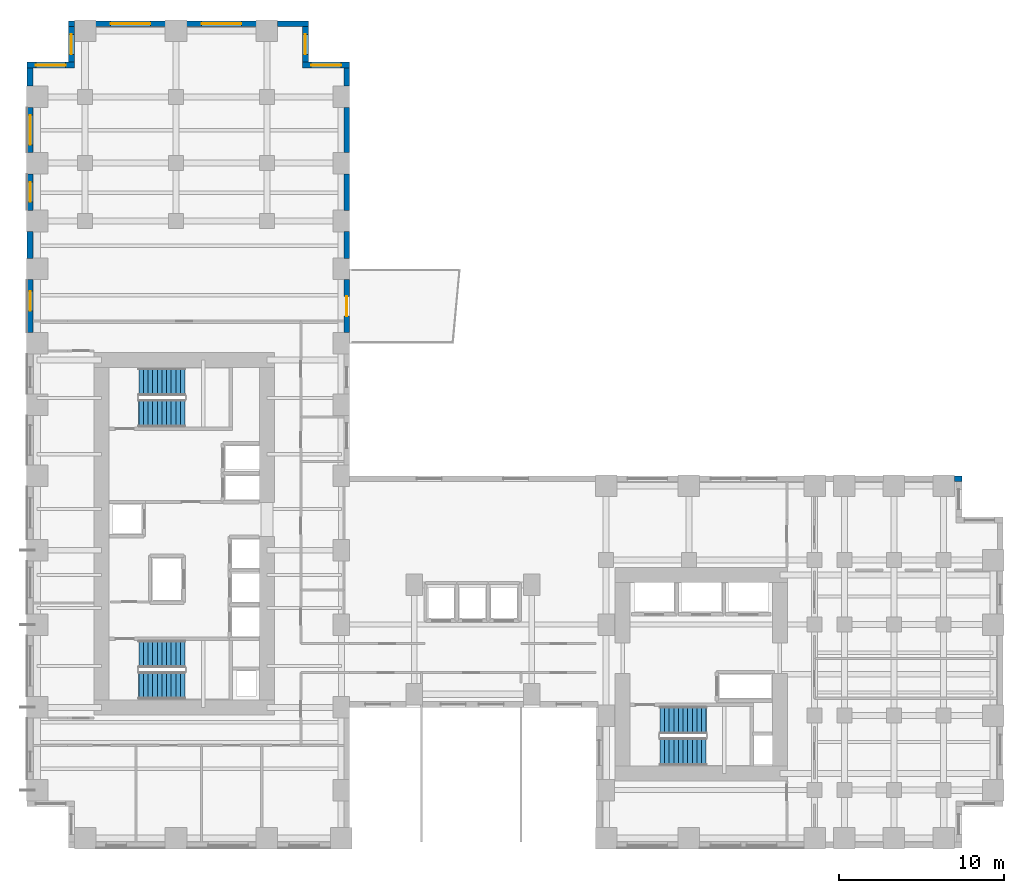
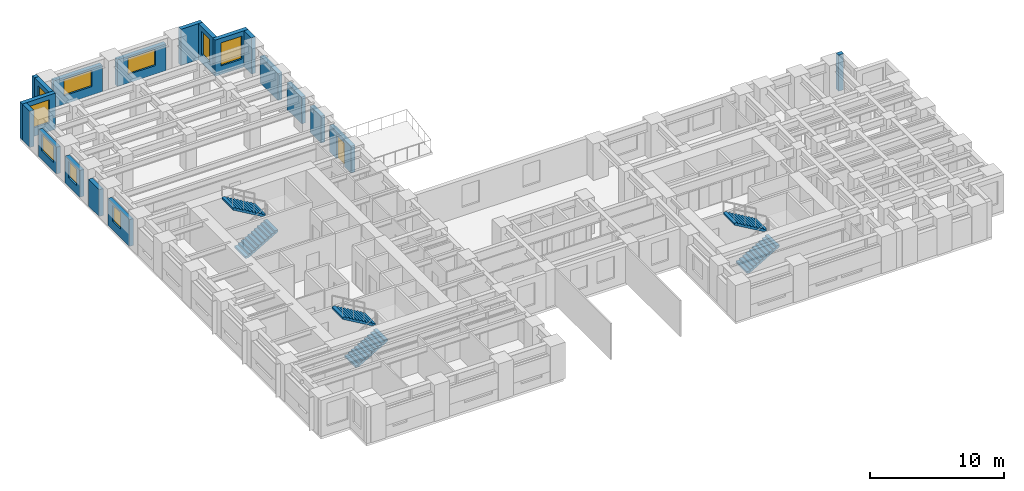
# One storey, part 9 of 11: 19 walls, 9 windows, 6 stair flights, 1 door, 10 openings, 3 elements without a shape of their own.
"""IFC4 building model written with IfcOpenShell, lengths in metres."""

from ifc_helpers import new_model, si_unit, direction, frame, frame_2d, origin, place, context, subcontext, project, spatial, polyline, rectangle, outline, extrude, source, transform, mapped, material, layer, layer_set, type_object, element, fill, aggregate, save


model = new_model("IFC4")

# Units and contexts
model_context = context("Model", 3, precision=1e-05, world=origin(), true_north=direction((0.0, 1.0)))
body_context = subcontext(model_context, "Body", "Model", "MODEL_VIEW")
ifc_project = project(units=[si_unit("LENGTHUNIT", "METRE"), si_unit("AREAUNIT", "SQUARE_METRE"), si_unit("VOLUMEUNIT", "CUBIC_METRE"), si_unit("PLANEANGLEUNIT", "RADIAN"), si_unit("MASSUNIT", "GRAM", prefix="KILO")], contexts=[model_context])

# Site, building, storey
site_placement = place(None, origin())
site = spatial("IfcSite", under=ifc_project, at=site_placement, CompositionType="ELEMENT")
building_placement = place(site_placement, origin())
building = spatial("IfcBuilding", under=site, at=building_placement, Name="Kharzan Plaza Tower", CompositionType="ELEMENT")
storey_placement = place(building_placement, frame((0.0, 0.0, 69.300048828125)))
storey = spatial("IfcBuildingStorey", under=building, at=storey_placement, Name="L18", CompositionType="ELEMENT", Elevation=69.300048828125)

# Wall, opening, window
ifc_material_1 = material(Name="Concrete C40/50", Category="concrete")
ifc_layer = layer(ifc_material_1, 0.35009765625)
ifc_layer_set = layer_set([ifc_layer], Name="Concrete C40/50")
wall_type = type_object("IfcWallType", Name="WL-EXT-MAS-Z1", PredefinedType="SOLIDWALL", material=ifc_layer_set)
wall_1_placement = place(storey_placement, frame((19.5, 47.324951171875, 0.0), z_axis=(0.0, 0.0, 1.0), x_axis=(-1.0, 0.0, 0.0)))
wall_1 = element("IfcWall", 1, at=wall_1_placement, inside=storey, type_object=wall_type, Name="L18 Masonry-Frame Exterior Wall 01", PredefinedType="SOLIDWALL", context=body_context, shape_type="SweptSolid", body=[
    extrude(rectangle(XDim=2.85009765625, YDim=0.35009765625, at=frame_2d((1.425048828125, 0.0))), origin(), (0.0, 0.0, 1.0), 3.304931640625),
])
opening_1_placement = place(wall_1_placement, frame((0.52490234375, 0.0, 0.780029296875)))
opening_1 = element("IfcOpeningElement", 2, at=opening_1_placement, cuts=wall_1, Name="Opening W1", PredefinedType="OPENING", context=body_context, shape_type="SweptSolid", body=[
    extrude(rectangle(XDim=1.800048828125, YDim=2.10009765625, at=frame_2d((0.89990234375, 1.050048828125))), frame((0.0, 0.18505859375, 0.0), z_axis=(0.0, -1.0, 0.0), x_axis=(1.0, 0.0, 0.0)), (0.0, 0.0, 1.0), 0.3701171875),
])
ifc_material_2 = material(Name="Low-E Double Glazing", Category="glass")
window_type_1 = type_object("IfcWindowType", Name="WN-REC-1800x2100", PartitioningType="SINGLE_PANEL", PredefinedType="WINDOW", material=ifc_material_2)
shared_shape_1 = source(origin(), body_context, "Body", "SweptSolid", [
    extrude(rectangle(XDim=1.800048828125, YDim=2.10009765625, at=frame_2d((0.89990234375, 1.050048828125))), frame((0.0, 0.030029296875, 0.0), z_axis=(0.0, -1.0, 0.0), x_axis=(1.0, 0.0, 0.0)), (0.0, 0.0, 1.0), 0.06005859375),
])
window_1_placement = place(opening_1_placement, origin())
window_1 = element("IfcWindow", 3, at=window_1_placement, inside=storey, type_object=window_type_1, Name="L18 Recessed Solar-Control Window 01-1", OverallHeight=2.10009765625, OverallWidth=1.800048828125, PartitioningType="SINGLE_PANEL", PredefinedType="WINDOW", context=body_context, shape_type="MappedRepresentation", body=[
    mapped(shared_shape_1, transform((0.0, 0.0, 0.0), x_axis=(1.0, 0.0, 0.0), y_axis=(0.0, 1.0, 0.0), z_axis=(0.0, 0.0, 1.0))),
])
fill(opening_1, window_1)

wall_2_placement = place(storey_placement, frame((16.824951171875, 47.498046875, 0.0), z_axis=(0.0, 0.0, 1.0), x_axis=(0.0, 1.0, 0.0)))
wall_2 = element("IfcWall", 4, at=wall_2_placement, inside=storey, type_object=wall_type, Name="L18 Masonry-Frame Exterior Wall 02", PredefinedType="SOLIDWALL", context=body_context, shape_type="SweptSolid", body=[
    extrude(rectangle(XDim=2.154052734375, YDim=0.35009765625, at=frame_2d((1.0771484375, 0.0))), origin(), (0.0, 0.0, 1.0), 3.304931640625),
])
opening_2_placement = place(wall_2_placement, frame((0.47705078125, 0.0, 0.780029296875)))
opening_2 = element("IfcOpeningElement", 5, at=opening_2_placement, cuts=wall_2, Name="Opening W3", PredefinedType="OPENING", context=body_context, shape_type="SweptSolid", body=[
    extrude(rectangle(XDim=1.199951171875, YDim=2.10009765625, at=frame_2d((0.60009765625, 1.050048828125))), frame((0.0, 0.18505859375, 0.0), z_axis=(0.0, -1.0, 0.0), x_axis=(1.0, 0.0, 0.0)), (0.0, 0.0, 1.0), 0.3701171875),
])
window_type_2 = type_object("IfcWindowType", Name="WN-REC-1200x2100", PartitioningType="SINGLE_PANEL", PredefinedType="WINDOW", material=ifc_material_2)
shared_shape_2 = source(origin(), body_context, "Body", "SweptSolid", [
    extrude(rectangle(XDim=1.199951171875, YDim=2.10009765625, at=frame_2d((0.60009765625, 1.050048828125))), frame((0.0, 0.030029296875, 0.0), z_axis=(0.0, -1.0, 0.0), x_axis=(1.0, 0.0, 0.0)), (0.0, 0.0, 1.0), 0.06005859375),
])
window_2_placement = place(opening_2_placement, origin())
window_2 = element("IfcWindow", 6, at=window_2_placement, inside=storey, type_object=window_type_2, Name="L18 Recessed Solar-Control Window 02-1", OverallHeight=2.10009765625, OverallWidth=1.199951171875, PartitioningType="SINGLE_PANEL", PredefinedType="WINDOW", context=body_context, shape_type="MappedRepresentation", body=[
    mapped(shared_shape_2, transform((0.0, 0.0, 0.0), x_axis=(1.0, 0.0, 0.0), y_axis=(0.0, 1.0, 0.0), z_axis=(0.0, 0.0, 1.0))),
])
fill(opening_2, window_2)

wall_3_placement = place(storey_placement, frame((13.85205078125, 49.824951171875, 0.0), z_axis=(0.0, 0.0, 1.0), x_axis=(-1.0, 0.0, 0.0)))
wall_3 = element("IfcWall", 7, at=wall_3_placement, inside=storey, type_object=wall_type, Name="L18 Masonry-Frame Exterior Wall 04", PredefinedType="SOLIDWALL", context=body_context, shape_type="SweptSolid", body=[
    extrude(rectangle(XDim=4.2041015625, YDim=0.35009765625, at=frame_2d((2.10205078125, 0.0))), origin(), (0.0, 0.0, 1.0), 2.449951171875),
])
opening_3_placement = place(wall_3_placement, frame((0.902099609375, 0.0, 0.780029296875)))
opening_3 = element("IfcOpeningElement", 8, at=opening_3_placement, cuts=wall_3, Name="Opening W2", PredefinedType="OPENING", context=body_context, shape_type="SweptSolid", body=[
    extrude(rectangle(XDim=2.39990234375, YDim=1.489990234375, at=frame_2d((1.199951171875, 0.7451171875))), frame((0.0, 0.18505859375, 0.0), z_axis=(0.0, -1.0, 0.0), x_axis=(1.0, 0.0, 0.0)), (0.0, 0.0, 1.0), 0.3701171875),
])
window_type_3 = type_object("IfcWindowType", Name="WN-REC-2400x2100", PartitioningType="SINGLE_PANEL", PredefinedType="WINDOW", material=ifc_material_2)
shared_shape_3 = source(origin(), body_context, "Body", "SweptSolid", [
    extrude(rectangle(XDim=2.39990234375, YDim=1.489990234375, at=frame_2d((1.199951171875, 0.7451171875))), frame((0.0, 0.030029296875, 0.0), z_axis=(0.0, -1.0, 0.0), x_axis=(1.0, 0.0, 0.0)), (0.0, 0.0, 1.0), 0.06005859375),
])
window_3_placement = place(opening_3_placement, origin())
window_3 = element("IfcWindow", 9, at=window_3_placement, inside=storey, type_object=window_type_3, Name="L18 Wide Recessed Solar-Control Window 04-1", OverallHeight=1.489990234375, OverallWidth=2.39990234375, PartitioningType="SINGLE_PANEL", PredefinedType="WINDOW", context=body_context, shape_type="MappedRepresentation", body=[
    mapped(shared_shape_3, transform((0.0, 0.0, 0.0), x_axis=(1.0, 0.0, 0.0), y_axis=(0.0, 1.0, 0.0), z_axis=(0.0, 0.0, 1.0))),
])
fill(opening_3, window_3)

wall_4_placement = place(storey_placement, frame((8.35205078125, 49.824951171875, 0.0), z_axis=(0.0, 0.0, 1.0), x_axis=(-1.0, 0.0, 0.0)))
wall_4 = element("IfcWall", 10, at=wall_4_placement, inside=storey, type_object=wall_type, Name="L18 Masonry-Frame Exterior Wall 05", PredefinedType="SOLIDWALL", context=body_context, shape_type="SweptSolid", body=[
    extrude(rectangle(XDim=4.2041015625, YDim=0.35009765625, at=frame_2d((2.10205078125, 0.0))), origin(), (0.0, 0.0, 1.0), 2.449951171875),
])
opening_4_placement = place(wall_4_placement, frame((0.902099609375, 0.0, 0.780029296875)))
opening_4 = element("IfcOpeningElement", 11, at=opening_4_placement, cuts=wall_4, Name="Opening W2", PredefinedType="OPENING", context=body_context, shape_type="SweptSolid", body=[
    extrude(rectangle(XDim=2.39990234375, YDim=1.489990234375, at=frame_2d((1.199951171875, 0.7451171875))), frame((0.0, 0.18505859375, 0.0), z_axis=(0.0, -1.0, 0.0), x_axis=(1.0, 0.0, 0.0)), (0.0, 0.0, 1.0), 0.3701171875),
])
window_4_placement = place(opening_4_placement, origin())
window_4 = element("IfcWindow", 12, at=window_4_placement, inside=storey, type_object=window_type_3, Name="L18 Wide Recessed Solar-Control Window 05-1", OverallHeight=1.489990234375, OverallWidth=2.39990234375, PartitioningType="SINGLE_PANEL", PredefinedType="WINDOW", context=body_context, shape_type="MappedRepresentation", body=[
    mapped(shared_shape_3, transform((0.0, 0.0, 0.0), x_axis=(1.0, 0.0, 0.0), y_axis=(0.0, 1.0, 0.0), z_axis=(0.0, 0.0, 1.0))),
])
fill(opening_4, window_4)

wall_5_placement = place(storey_placement, frame((2.675048828125, 49.652099609375, 0.0), z_axis=(0.0, 0.0, 1.0), x_axis=(0.0, -1.0, 0.0)))
wall_5 = element("IfcWall", 13, at=wall_5_placement, inside=storey, type_object=wall_type, Name="L18 Masonry-Frame Exterior Wall 07", PredefinedType="SOLIDWALL", context=body_context, shape_type="SweptSolid", body=[
    extrude(rectangle(XDim=2.154052734375, YDim=0.35009765625, at=frame_2d((1.0771484375, 0.0))), origin(), (0.0, 0.0, 1.0), 3.304931640625),
])
opening_5_placement = place(wall_5_placement, frame((0.47705078125, 0.0, 0.780029296875)))
opening_5 = element("IfcOpeningElement", 14, at=opening_5_placement, cuts=wall_5, Name="Opening W3", PredefinedType="OPENING", context=body_context, shape_type="SweptSolid", body=[
    extrude(rectangle(XDim=1.199951171875, YDim=2.10009765625, at=frame_2d((0.60009765625, 1.050048828125))), frame((0.0, 0.18505859375, 0.0), z_axis=(0.0, -1.0, 0.0), x_axis=(1.0, 0.0, 0.0)), (0.0, 0.0, 1.0), 0.3701171875),
])
window_5_placement = place(opening_5_placement, origin())
window_5 = element("IfcWindow", 15, at=window_5_placement, inside=storey, type_object=window_type_2, Name="L18 Recessed Solar-Control Window 07-1", OverallHeight=2.10009765625, OverallWidth=1.199951171875, PartitioningType="SINGLE_PANEL", PredefinedType="WINDOW", context=body_context, shape_type="MappedRepresentation", body=[
    mapped(shared_shape_2, transform((0.0, 0.0, 0.0), x_axis=(1.0, 0.0, 0.0), y_axis=(0.0, 1.0, 0.0), z_axis=(0.0, 0.0, 1.0))),
])
fill(opening_5, window_5)

wall_6_placement = place(storey_placement, frame((2.85009765625, 47.324951171875, 0.0), z_axis=(0.0, 0.0, 1.0), x_axis=(-1.0, 0.0, 0.0)))
wall_6 = element("IfcWall", 16, at=wall_6_placement, inside=storey, type_object=wall_type, Name="L18 Masonry-Frame Exterior Wall 08", PredefinedType="SOLIDWALL", context=body_context, shape_type="SweptSolid", body=[
    extrude(rectangle(XDim=2.85009765625, YDim=0.35009765625, at=frame_2d((1.425048828125, 0.0))), origin(), (0.0, 0.0, 1.0), 3.304931640625),
])
opening_6_placement = place(wall_6_placement, frame((0.52490234375, 0.0, 0.780029296875)))
opening_6 = element("IfcOpeningElement", 17, at=opening_6_placement, cuts=wall_6, Name="Opening W1", PredefinedType="OPENING", context=body_context, shape_type="SweptSolid", body=[
    extrude(rectangle(XDim=1.800048828125, YDim=2.10009765625, at=frame_2d((0.89990234375, 1.050048828125))), frame((0.0, 0.18505859375, 0.0), z_axis=(0.0, -1.0, 0.0), x_axis=(1.0, 0.0, 0.0)), (0.0, 0.0, 1.0), 0.3701171875),
])
window_6_placement = place(opening_6_placement, origin())
window_6 = element("IfcWindow", 18, at=window_6_placement, inside=storey, type_object=window_type_1, Name="L18 Recessed Solar-Control Window 08-1", OverallHeight=2.10009765625, OverallWidth=1.800048828125, PartitioningType="SINGLE_PANEL", PredefinedType="WINDOW", context=body_context, shape_type="MappedRepresentation", body=[
    mapped(shared_shape_1, transform((0.0, 0.0, 0.0), x_axis=(1.0, 0.0, 0.0), y_axis=(0.0, 1.0, 0.0), z_axis=(0.0, 0.0, 1.0))),
])
fill(opening_6, window_6)

wall_7_placement = place(storey_placement, frame((0.175048828125, 44.751953125, 0.0), z_axis=(0.0, 0.0, 1.0), x_axis=(0.0, -1.0, 0.0)))
wall_7 = element("IfcWall", 19, at=wall_7_placement, inside=storey, type_object=wall_type, Name="L18 Masonry-Frame Exterior Wall 10", PredefinedType="SOLIDWALL", context=body_context, shape_type="SweptSolid", body=[
    extrude(rectangle(XDim=2.703857421875, YDim=0.35009765625, at=frame_2d((1.35205078125, 0.0))), origin(), (0.0, 0.0, 1.0), 2.449951171875),
])
opening_7_placement = place(wall_7_placement, frame((0.451904296875, 0.0, 0.780029296875)))
opening_7 = element("IfcOpeningElement", 20, at=opening_7_placement, cuts=wall_7, Name="Opening W1", PredefinedType="OPENING", context=body_context, shape_type="SweptSolid", body=[
    extrude(rectangle(XDim=1.800048828125, YDim=1.489990234375, at=frame_2d((0.89990234375, 0.7451171875))), frame((0.0, 0.18505859375, 0.0), z_axis=(0.0, -1.0, 0.0), x_axis=(1.0, 0.0, 0.0)), (0.0, 0.0, 1.0), 0.3701171875),
])
shared_shape_4 = source(origin(), body_context, "Body", "SweptSolid", [
    extrude(rectangle(XDim=1.800048828125, YDim=1.489990234375, at=frame_2d((0.89990234375, 0.7451171875))), frame((0.0, 0.030029296875, 0.0), z_axis=(0.0, -1.0, 0.0), x_axis=(1.0, 0.0, 0.0)), (0.0, 0.0, 1.0), 0.06005859375),
])
window_7_placement = place(opening_7_placement, origin())
window_7 = element("IfcWindow", 21, at=window_7_placement, inside=storey, type_object=window_type_1, Name="L18 Recessed Solar-Control Window 10-1", OverallHeight=1.489990234375, OverallWidth=1.800048828125, PartitioningType="SINGLE_PANEL", PredefinedType="WINDOW", context=body_context, shape_type="MappedRepresentation", body=[
    mapped(shared_shape_4, transform((0.0, 0.0, 0.0), x_axis=(1.0, 0.0, 0.0), y_axis=(0.0, 1.0, 0.0), z_axis=(0.0, 0.0, 1.0))),
])
fill(opening_7, window_7)

wall_8_placement = place(storey_placement, frame((0.175048828125, 40.751953125, 0.0), z_axis=(0.0, 0.0, 1.0), x_axis=(0.0, -1.0, 0.0)))
wall_8 = element("IfcWall", 22, at=wall_8_placement, inside=storey, type_object=wall_type, Name="L18 Masonry-Frame Exterior Wall 11", PredefinedType="SOLIDWALL", context=body_context, shape_type="SweptSolid", body=[
    extrude(rectangle(XDim=2.203857421875, YDim=0.35009765625, at=frame_2d((1.10205078125, 0.0))), origin(), (0.0, 0.0, 1.0), 2.449951171875),
])
opening_8_placement = place(wall_8_placement, frame((0.501953125, 0.0, 0.780029296875)))
opening_8 = element("IfcOpeningElement", 23, at=opening_8_placement, cuts=wall_8, Name="Opening W3", PredefinedType="OPENING", context=body_context, shape_type="SweptSolid", body=[
    extrude(rectangle(XDim=1.199951171875, YDim=1.489990234375, at=frame_2d((0.60009765625, 0.7451171875))), frame((0.0, 0.18505859375, 0.0), z_axis=(0.0, -1.0, 0.0), x_axis=(1.0, 0.0, 0.0)), (0.0, 0.0, 1.0), 0.3701171875),
])
shared_shape_5 = source(origin(), body_context, "Body", "SweptSolid", [
    extrude(rectangle(XDim=1.199951171875, YDim=1.489990234375, at=frame_2d((0.60009765625, 0.7451171875))), frame((0.0, 0.030029296875, 0.0), z_axis=(0.0, -1.0, 0.0), x_axis=(1.0, 0.0, 0.0)), (0.0, 0.0, 1.0), 0.06005859375),
])
window_8_placement = place(opening_8_placement, origin())
window_8 = element("IfcWindow", 24, at=window_8_placement, inside=storey, type_object=window_type_2, Name="L18 Recessed Solar-Control Window 11-1", OverallHeight=1.489990234375, OverallWidth=1.199951171875, PartitioningType="SINGLE_PANEL", PredefinedType="WINDOW", context=body_context, shape_type="MappedRepresentation", body=[
    mapped(shared_shape_5, transform((0.0, 0.0, 0.0), x_axis=(1.0, 0.0, 0.0), y_axis=(0.0, 1.0, 0.0), z_axis=(0.0, 0.0, 1.0))),
])
fill(opening_8, window_8)

wall_9_placement = place(storey_placement, frame((0.175048828125, 34.35205078125, 0.0), z_axis=(0.0, 0.0, 1.0), x_axis=(0.0, -1.0, 0.0)))
wall_9 = element("IfcWall", 25, at=wall_9_placement, inside=storey, type_object=wall_type, Name="L18 Masonry-Frame Exterior Wall 13", PredefinedType="SOLIDWALL", context=body_context, shape_type="SweptSolid", body=[
    extrude(rectangle(XDim=3.2041015625, YDim=0.35009765625, at=frame_2d((1.60205078125, 0.0))), origin(), (0.0, 0.0, 1.0), 2.449951171875),
])
opening_9_placement = place(wall_9_placement, frame((0.68603515625, 0.0, 0.780029296875)))
opening_9 = element("IfcOpeningElement", 26, at=opening_9_placement, cuts=wall_9, Name="Opening W3", PredefinedType="OPENING", context=body_context, shape_type="SweptSolid", body=[
    extrude(rectangle(XDim=1.199951171875, YDim=1.489990234375, at=frame_2d((0.60009765625, 0.7451171875))), frame((0.0, 0.18505859375, 0.0), z_axis=(0.0, -1.0, 0.0), x_axis=(1.0, 0.0, 0.0)), (0.0, 0.0, 1.0), 0.3701171875),
])
window_9_placement = place(opening_9_placement, origin())
window_9 = element("IfcWindow", 27, at=window_9_placement, inside=storey, type_object=window_type_2, Name="L18 Recessed Solar-Control Window 13-1", OverallHeight=1.489990234375, OverallWidth=1.199951171875, PartitioningType="SINGLE_PANEL", PredefinedType="WINDOW", context=body_context, shape_type="MappedRepresentation", body=[
    mapped(shared_shape_5, transform((0.0, 0.0, 0.0), x_axis=(1.0, 0.0, 0.0), y_axis=(0.0, 1.0, 0.0), z_axis=(0.0, 0.0, 1.0))),
])
fill(opening_9, window_9)

# Wall, opening, door
wall_10_placement = place(storey_placement, frame((19.324951171875, 31.14794921875, 0.0), z_axis=(0.0, 0.0, 1.0), x_axis=(0.0, 1.0, 0.0)))
wall_10 = element("IfcWall", 28, at=wall_10_placement, inside=storey, type_object=wall_type, Name="L18 Masonry-Frame Exterior Wall 56", PredefinedType="SOLIDWALL", context=body_context, shape_type="SweptSolid", body=[
    extrude(rectangle(XDim=3.2041015625, YDim=0.35009765625, at=frame_2d((1.60205078125, 0.0))), origin(), (0.0, 0.0, 1.0), 2.449951171875),
])
opening_10_placement = place(wall_10_placement, frame((1.001953125, 0.0, 0.0)))
opening_10 = element("IfcOpeningElement", 29, at=opening_10_placement, cuts=wall_10, Name="Opening ED3", PredefinedType="OPENING", context=body_context, shape_type="SweptSolid", body=[
    extrude(rectangle(XDim=1.199951171875, YDim=2.14990234375, at=frame_2d((0.60009765625, 1.074951171875))), frame((0.0, 0.18505859375, 0.0), z_axis=(0.0, -1.0, 0.0), x_axis=(1.0, 0.0, 0.0)), (0.0, 0.0, 1.0), 0.3701171875),
])
ifc_material_3 = material(Name="Thermally Broken Anodized Bronze Aluminium", Category="aluminium")
door_type = type_object("IfcDoorType", Name="DR-EXT-TRAY-1200", OperationType="SINGLE_SWING_LEFT", PredefinedType="DOOR", material=ifc_material_3)
shared_shape_6 = source(origin(), body_context, "Body", "SweptSolid", [
    extrude(rectangle(XDim=1.199951171875, YDim=2.14990234375, at=frame_2d((0.60009765625, 1.074951171875))), frame((0.0, 0.02490234375, 0.0), z_axis=(0.0, -1.0, 0.0), x_axis=(1.0, 0.0, 0.0)), (0.0, 0.0, 1.0), 0.050048828125),
])
door_placement = place(opening_10_placement, frame((1.199951171875, 0.0, 0.0), z_axis=(0.0, 0.0, 1.0), x_axis=(-1.0, 0.0, 0.0)))
door = element("IfcDoor", 30, at=door_placement, inside=storey, type_object=door_type, Name="L18 Cantilevered Sky-Terrace Tray Access Door", OperationType="SINGLE_SWING_LEFT", OverallHeight=2.14990234375, OverallWidth=1.199951171875, PredefinedType="DOOR", context=body_context, shape_type="MappedRepresentation", body=[
    mapped(shared_shape_6, transform((0.0, 0.0, 0.0), x_axis=(1.0, 0.0, 0.0), y_axis=(0.0, 1.0, 0.0), z_axis=(0.0, 0.0, 1.0))),
])
fill(opening_10, door)

# Walls
shared_shape_7 = source(origin(), body_context, "Body", "SweptSolid", [
    extrude(rectangle(XDim=1.85205078125, YDim=0.35009765625, at=frame_2d((0.926025390625, 0.0))), origin(), (0.0, 0.0, 1.0), 3.304931640625),
])
wall_11_placement = place(storey_placement, frame((17.0, 49.824951171875, 0.0), z_axis=(0.0, 0.0, 1.0), x_axis=(-1.0, 0.0, 0.0)))
element("IfcWall", 31, at=wall_11_placement, inside=storey, type_object=wall_type, Name="L18 Masonry-Frame Exterior Wall 03", PredefinedType="SOLIDWALL", context=body_context, shape_type="MappedRepresentation", body=[
    mapped(shared_shape_7, transform((0.0, 0.0, 0.0), x_axis=(1.0, 0.0, 0.0), y_axis=(0.0, 1.0, 0.0), z_axis=(0.0, 0.0, 1.0))),
])
shared_shape_8 = source(origin(), body_context, "Body", "SweptSolid", [
    extrude(rectangle(XDim=0.35205078125, YDim=0.35009765625, at=frame_2d((0.176025390625, 0.0))), origin(), (0.0, 0.0, 1.0), 3.304931640625),
])
wall_12_placement = place(storey_placement, frame((2.85205078125, 49.824951171875, 0.0), z_axis=(0.0, 0.0, 1.0), x_axis=(-1.0, 0.0, 0.0)))
element("IfcWall", 32, at=wall_12_placement, inside=storey, type_object=wall_type, Name="L18 Masonry-Frame Exterior Wall 06", PredefinedType="SOLIDWALL", context=body_context, shape_type="MappedRepresentation", body=[
    mapped(shared_shape_8, transform((0.0, 0.0, 0.0), x_axis=(1.0, 0.0, 0.0), y_axis=(0.0, 1.0, 0.0), z_axis=(0.0, 0.0, 1.0))),
])
shared_shape_9 = source(origin(), body_context, "Body", "SweptSolid", [
    extrude(rectangle(XDim=1.10400390625, YDim=0.35009765625, at=frame_2d((0.552001953125, 0.0))), origin(), (0.0, 0.0, 1.0), 3.304931640625),
])
for number, where, z_axis, x_axis, name in (
    (33, (0.175048828125, 47.152099609375, 0.0), (0.0, 0.0, 1.0), (0.0, -1.0, 0.0), "L18 Masonry-Frame Exterior Wall 09"),
    (34, (19.324951171875, 46.048095703125, 0.0), (0.0, 0.0, 1.0), (0.0, 1.0, 0.0), "L18 Masonry-Frame Exterior Wall 60"),
):
    element("IfcWall", number, at=place(storey_placement, frame(where, z_axis=z_axis, x_axis=x_axis)), inside=storey, type_object=wall_type, Name=name, PredefinedType="SOLIDWALL", context=body_context, shape_type="MappedRepresentation", body=[
        mapped(shared_shape_9, transform((0.0, 0.0, 0.0), x_axis=(1.0, 0.0, 0.0), y_axis=(0.0, 1.0, 0.0), z_axis=(0.0, 0.0, 1.0))),
    ])
shared_shape_10 = source(origin(), body_context, "Body", "SweptSolid", [
    extrude(rectangle(XDim=1.60400390625, YDim=0.35009765625, at=frame_2d((0.802001953125, 0.0))), origin(), (0.0, 0.0, 1.0), 2.449951171875),
])
for number, where, z_axis, x_axis, name in (
    (35, (0.175048828125, 37.251953125, 0.0), (0.0, 0.0, 1.0), (0.0, -1.0, 0.0), "L18 Masonry-Frame Exterior Wall 12"),
    (36, (19.324951171875, 35.64794921875, 0.0), (0.0, 0.0, 1.0), (0.0, 1.0, 0.0), "L18 Masonry-Frame Exterior Wall 57"),
):
    element("IfcWall", number, at=place(storey_placement, frame(where, z_axis=z_axis, x_axis=x_axis)), inside=storey, type_object=wall_type, Name=name, PredefinedType="SOLIDWALL", context=body_context, shape_type="MappedRepresentation", body=[
        mapped(shared_shape_10, transform((0.0, 0.0, 0.0), x_axis=(1.0, 0.0, 0.0), y_axis=(0.0, 1.0, 0.0), z_axis=(0.0, 0.0, 1.0))),
    ])
shared_shape_11 = source(origin(), body_context, "Body", "SweptSolid", [
    extrude(rectangle(XDim=0.451904296875, YDim=0.35009765625, at=frame_2d((0.22607421875, 0.0))), origin(), (0.0, 0.0, 1.0), 3.304931640625),
])
wall_13_placement = place(storey_placement, frame((56.5, 22.324951171875, 0.0), z_axis=(0.0, 0.0, 1.0), x_axis=(-1.0, 0.0, 0.0)))
element("IfcWall", 37, at=wall_13_placement, inside=storey, type_object=wall_type, Name="L18 Masonry-Frame Exterior Wall 47", PredefinedType="SOLIDWALL", context=body_context, shape_type="MappedRepresentation", body=[
    mapped(shared_shape_11, transform((0.0, 0.0, 0.0), x_axis=(1.0, 0.0, 0.0), y_axis=(0.0, 1.0, 0.0), z_axis=(0.0, 0.0, 1.0))),
])
shared_shape_12 = source(origin(), body_context, "Body", "SweptSolid", [
    extrude(rectangle(XDim=2.203857421875, YDim=0.35009765625, at=frame_2d((1.10205078125, 0.0))), origin(), (0.0, 0.0, 1.0), 2.449951171875),
])
wall_14_placement = place(storey_placement, frame((19.324951171875, 38.548095703125, 0.0), z_axis=(0.0, 0.0, 1.0), x_axis=(0.0, 1.0, 0.0)))
element("IfcWall", 38, at=wall_14_placement, inside=storey, type_object=wall_type, Name="L18 Masonry-Frame Exterior Wall 58", PredefinedType="SOLIDWALL", context=body_context, shape_type="MappedRepresentation", body=[
    mapped(shared_shape_12, transform((0.0, 0.0, 0.0), x_axis=(1.0, 0.0, 0.0), y_axis=(0.0, 1.0, 0.0), z_axis=(0.0, 0.0, 1.0))),
])
shared_shape_13 = source(origin(), body_context, "Body", "SweptSolid", [
    extrude(rectangle(XDim=2.703857421875, YDim=0.35009765625, at=frame_2d((1.35205078125, 0.0))), origin(), (0.0, 0.0, 1.0), 2.449951171875),
])
wall_15_placement = place(storey_placement, frame((19.324951171875, 42.048095703125, 0.0), z_axis=(0.0, 0.0, 1.0), x_axis=(0.0, 1.0, 0.0)))
element("IfcWall", 39, at=wall_15_placement, inside=storey, type_object=wall_type, Name="L18 Masonry-Frame Exterior Wall 59", PredefinedType="SOLIDWALL", context=body_context, shape_type="MappedRepresentation", body=[
    mapped(shared_shape_13, transform((0.0, 0.0, 0.0), x_axis=(1.0, 0.0, 0.0), y_axis=(0.0, 1.0, 0.0), z_axis=(0.0, 0.0, 1.0))),
])

# Stair, stair flights
stair_type_1 = type_object("IfcStairType", Name="STR-ST-1", PredefinedType="HALF_TURN_STAIR", material=ifc_material_1)
stair_1_placement = place(storey_placement, origin())
stair_1 = element("IfcStair", 40, at=stair_1_placement, inside=storey, type_object=stair_type_1, Name="L18 Protected Exit Stair ST-1", PredefinedType="HALF_TURN_STAIR")
stair_flight_type = type_object("IfcStairFlightType", Name="SFL-1650-R173", PredefinedType="STRAIGHT", material=ifc_material_1)
shared_shape_14 = source(origin(), body_context, "Body", "SweptSolid", [
    extrude(outline(polyline([(-0.0029296875, -0.011962890625), (-0.0029296875, 0.0), (0.0, 0.0), (0.0, 0.16357421875), (0.280029296875, 0.16357421875), (0.280029296875, 0.3271484375), (0.56005859375, 0.3271484375), (0.56005859375, 0.49072265625), (0.840087890625, 0.49072265625), (0.840087890625, 0.654296875), (1.1201171875, 0.654296875), (1.1201171875, 0.81787109375), (1.400146484375, 0.81787109375), (1.400146484375, 0.9814453125), (1.68017578125, 0.9814453125), (1.68017578125, 1.14501953125), (1.960205078125, 1.14501953125), (1.960205078125, 1.30859375), (2.240234375, 1.30859375), (2.240234375, 1.47216796875), (2.520263671875, 1.47216796875), (2.520263671875, 1.6357421875), (2.80029296875, 1.6357421875), (2.80029296875, 1.79931640625), (2.80029296875, 1.462158203125), (0.297119140625, 0.0), (0.297119140625, -0.011962890625), (-0.0029296875, -0.011962890625)])), frame((0.0, 0.824951171875, 0.0), z_axis=(0.0, -1.0, 0.0), x_axis=(1.0, 0.0, 0.0)), (0.0, 0.0, 1.0), 1.64990234375),
])
stair_flight_1_placement = place(storey_placement, frame((6.75, 9.824951171875, 0.0), z_axis=(0.0, 0.0, 1.0), x_axis=(1.0, 0.0, 0.0)))
stair_flight_1 = element("IfcStairFlight", 41, at=stair_flight_1_placement, type_object=stair_flight_type, Name="ST-1 flight 1", NumberOfRisers=11, NumberOfTreads=10, PredefinedType="STRAIGHT", RiserHeight=0.163636364, TreadLength=0.28, context=body_context, shape_type="MappedRepresentation", body=[
    mapped(shared_shape_14, transform((0.0, 0.0, 0.0), x_axis=(1.0, 0.0, 0.0), y_axis=(0.0, 1.0, 0.0), z_axis=(0.0, 0.0, 1.0))),
])
stair_flight_2_placement = place(storey_placement, frame((9.550048828125, 11.72509765625, 1.800048828125), z_axis=(0.0, 0.0, 1.0), x_axis=(-1.0, 0.0, 0.0)))
stair_flight_2 = element("IfcStairFlight", 42, at=stair_flight_2_placement, type_object=stair_flight_type, Name="ST-1 flight 2", NumberOfRisers=11, NumberOfTreads=10, PredefinedType="STRAIGHT", RiserHeight=0.163636364, TreadLength=0.28, context=body_context, shape_type="MappedRepresentation", body=[
    mapped(shared_shape_14, transform((0.0, 0.0, 0.0), x_axis=(1.0, 0.0, 0.0), y_axis=(0.0, 1.0, 0.0), z_axis=(0.0, 0.0, 1.0))),
])
aggregate(stair_1, [stair_flight_1, stair_flight_2])

stair_type_2 = type_object("IfcStairType", Name="STR-ST-2", PredefinedType="HALF_TURN_STAIR", material=ifc_material_1)
stair_2_placement = place(storey_placement, origin())
stair_2 = element("IfcStair", 43, at=stair_2_placement, inside=storey, type_object=stair_type_2, Name="L18 Protected Exit Stair ST-2", PredefinedType="HALF_TURN_STAIR")
stair_flight_3_placement = place(storey_placement, frame((6.75, 26.27490234375, 0.0), z_axis=(0.0, 0.0, 1.0), x_axis=(1.0, 0.0, 0.0)))
stair_flight_3 = element("IfcStairFlight", 44, at=stair_flight_3_placement, type_object=stair_flight_type, Name="ST-2 flight 1", NumberOfRisers=11, NumberOfTreads=10, PredefinedType="STRAIGHT", RiserHeight=0.163636364, TreadLength=0.28, context=body_context, shape_type="MappedRepresentation", body=[
    mapped(shared_shape_14, transform((0.0, 0.0, 0.0), x_axis=(1.0, 0.0, 0.0), y_axis=(0.0, 1.0, 0.0), z_axis=(0.0, 0.0, 1.0))),
])
stair_flight_4_placement = place(storey_placement, frame((9.550048828125, 28.175048828125, 1.800048828125), z_axis=(0.0, 0.0, 1.0), x_axis=(-1.0, 0.0, 0.0)))
stair_flight_4 = element("IfcStairFlight", 45, at=stair_flight_4_placement, type_object=stair_flight_type, Name="ST-2 flight 2", NumberOfRisers=11, NumberOfTreads=10, PredefinedType="STRAIGHT", RiserHeight=0.163636364, TreadLength=0.28, context=body_context, shape_type="MappedRepresentation", body=[
    mapped(shared_shape_14, transform((0.0, 0.0, 0.0), x_axis=(1.0, 0.0, 0.0), y_axis=(0.0, 1.0, 0.0), z_axis=(0.0, 0.0, 1.0))),
])
aggregate(stair_2, [stair_flight_3, stair_flight_4])

stair_type_3 = type_object("IfcStairType", Name="STR-ST-3", PredefinedType="HALF_TURN_STAIR", material=ifc_material_1)
stair_3_placement = place(storey_placement, origin())
stair_3 = element("IfcStair", 46, at=stair_3_placement, inside=storey, type_object=stair_type_3, Name="L18 Protected Exit Stair ST-3", PredefinedType="HALF_TURN_STAIR")
stair_flight_5_placement = place(storey_placement, frame((38.25, 5.824951171875, 0.0), z_axis=(0.0, 0.0, 1.0), x_axis=(1.0, 0.0, 0.0)))
stair_flight_5 = element("IfcStairFlight", 47, at=stair_flight_5_placement, type_object=stair_flight_type, Name="ST-3 flight 1", NumberOfRisers=11, NumberOfTreads=10, PredefinedType="STRAIGHT", RiserHeight=0.163636364, TreadLength=0.28, context=body_context, shape_type="MappedRepresentation", body=[
    mapped(shared_shape_14, transform((0.0, 0.0, 0.0), x_axis=(1.0, 0.0, 0.0), y_axis=(0.0, 1.0, 0.0), z_axis=(0.0, 0.0, 1.0))),
])
stair_flight_6_placement = place(storey_placement, frame((41.050048828125, 7.72509765625, 1.800048828125), z_axis=(0.0, 0.0, 1.0), x_axis=(-1.0, 0.0, 0.0)))
stair_flight_6 = element("IfcStairFlight", 48, at=stair_flight_6_placement, type_object=stair_flight_type, Name="ST-3 flight 2", NumberOfRisers=11, NumberOfTreads=10, PredefinedType="STRAIGHT", RiserHeight=0.163636364, TreadLength=0.28, context=body_context, shape_type="MappedRepresentation", body=[
    mapped(shared_shape_14, transform((0.0, 0.0, 0.0), x_axis=(1.0, 0.0, 0.0), y_axis=(0.0, 1.0, 0.0), z_axis=(0.0, 0.0, 1.0))),
])
aggregate(stair_3, [stair_flight_5, stair_flight_6])

save(model, "model.ifc")
